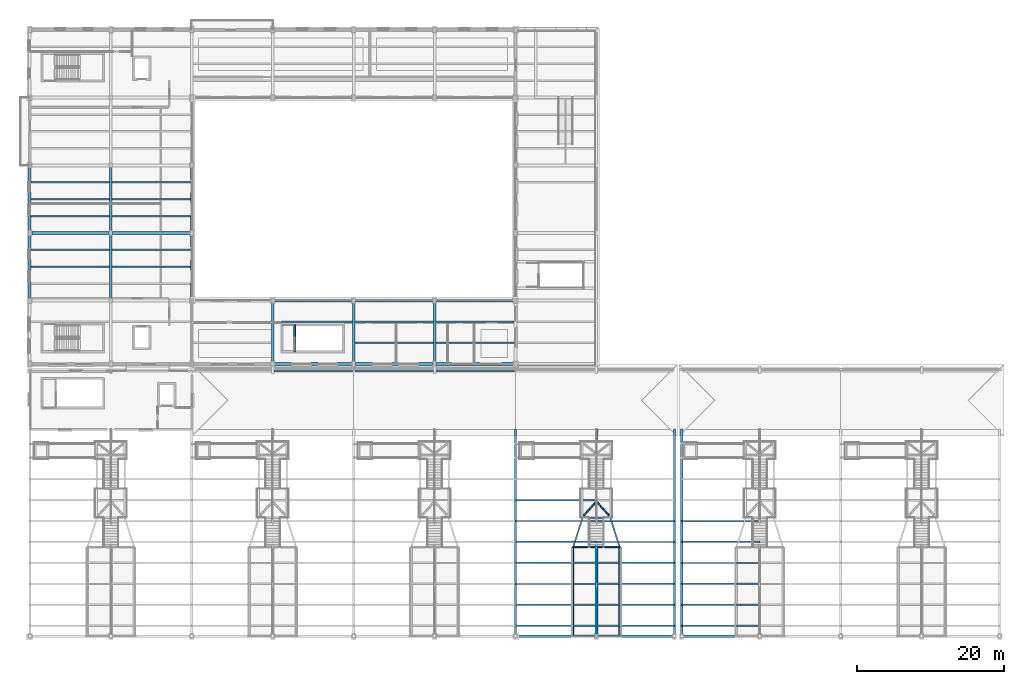
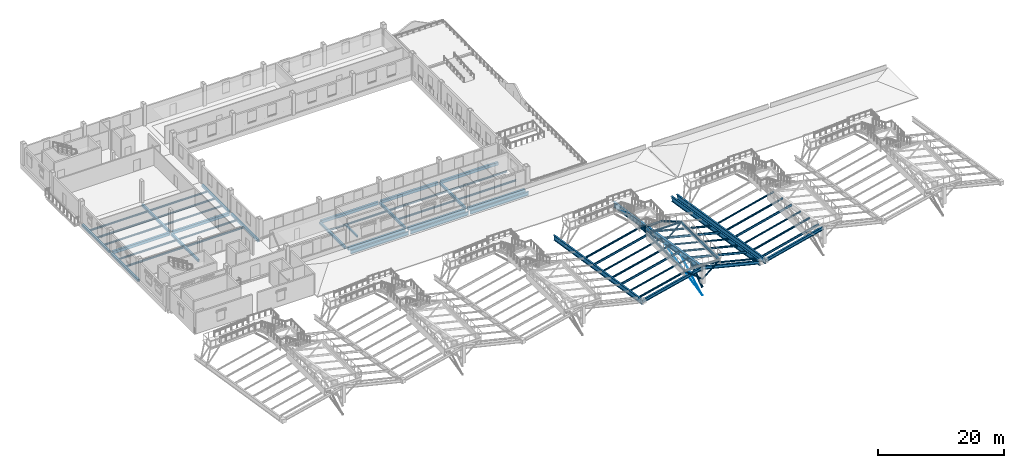
# One storey, part 12 of 43: 50 beams, 28 members.
"""IFC4 building model written with IfcOpenShell, lengths in metres."""

import ifcopenshell
import ifcopenshell.guid

model = None  # the IFC model being written
_history = None  # IfcOwnerHistory: only IFC2X3 demands one
_inside = {}  # id of a spatial element -> (the spatial element, [elements in it])
_under = {}  # id of a project, library or spatial element -> (it, [spatial elements below it])
_declared = {}  # id of a project -> (the project, [libraries it declares])
_typed = {}  # id of a type object -> (the type object, [elements of that type])
_made_of = {}  # id of a material, layer set ... -> (it, [elements and type objects made of it])


def new_model(schema):
    """Start an empty IFC model of exactly this schema.

    Asked for "IFC4X3", IfcOpenShell would pick the latest addendum, in which some entities
    have other attributes; the version numbers below select the first issue.
    IFC2X3 requires an IfcOwnerHistory on every rooted entity: one is made here for all.
    """
    global model, _history
    if schema == "IFC4X3":
        model = ifcopenshell.file(schema_version=(4, 3, 0, 0))
    else:
        model = ifcopenshell.file(schema=schema)
    _inside.clear()
    _under.clear()
    _declared.clear()
    _typed.clear()
    _made_of.clear()
    _history = None
    if model.schema == "IFC2X3":
        org = make("IfcOrganization", Name="unknown")
        user = make(
            "IfcPersonAndOrganization",
            ThePerson=make("IfcPerson", FamilyName="unknown"),
            TheOrganization=org,
        )
        app = make(
            "IfcApplication",
            ApplicationDeveloper=org,
            Version="unknown",
            ApplicationFullName="unknown",
            ApplicationIdentifier="unknown",
        )
        _history = make(
            "IfcOwnerHistory",
            OwningUser=user,
            OwningApplication=app,
            ChangeAction="ADDED",
            CreationDate=0,
        )
    return model


def make(cls, **values):
    """One entity of the class cls with the attributes given. An attribute that is None is left unset."""
    return model.create_entity(
        cls, **{name: value for name, value in values.items() if value is not None}
    )


def rooted(cls, **values):
    """An entity with a GlobalId (a new one), such as an element, a storey or a relation."""
    return make(cls, GlobalId=ifcopenshell.guid.new(), OwnerHistory=_history, **values)


def si_unit(unit_type, name, prefix=None):
    """IfcSIUnit, for example si_unit("LENGTHUNIT", "METRE", prefix="MILLI")."""
    return make("IfcSIUnit", UnitType=unit_type, Prefix=prefix, Name=name)


def assignment(units):
    """IfcUnitAssignment: the units of a project."""
    return None if units is None else make("IfcUnitAssignment", Units=units)


def point(xyz):
    """IfcCartesianPoint."""
    return None if xyz is None else make("IfcCartesianPoint", Coordinates=xyz)


def direction(xyz):
    """IfcDirection."""
    return None if xyz is None else make("IfcDirection", DirectionRatios=xyz)


def frame(location, z_axis=None, x_axis=None):
    """IfcAxis2Placement3D, a coordinate frame: its origin and axes. An axis left out is left unset."""
    return make(
        "IfcAxis2Placement3D",
        Location=point(location),
        Axis=direction(z_axis),
        RefDirection=direction(x_axis),
    )


def frame_2d(location, x_axis=None):
    """IfcAxis2Placement2D, a coordinate frame in the plane: its origin and x axis."""
    return make(
        "IfcAxis2Placement2D", Location=point(location), RefDirection=direction(x_axis)
    )


def origin():
    """The frame at (0, 0, 0) with its axes left unset."""
    return frame((0.0, 0.0, 0.0))


def origin_2d():
    """The frame at (0, 0) in the plane with its x axis left unset."""
    return frame_2d((0.0, 0.0))


def place(relative_to, where):
    """IfcLocalPlacement: puts the frame where relative to a parent placement (None: the world)."""
    return make(
        "IfcLocalPlacement", PlacementRelTo=relative_to, RelativePlacement=where
    )


def context(
    kind, dimensions, precision=None, world=None, true_north=None, identifier=None
):
    """IfcGeometricRepresentationContext, for example the 3D "Model" context."""
    return make(
        "IfcGeometricRepresentationContext",
        ContextIdentifier=identifier,
        ContextType=kind,
        CoordinateSpaceDimension=dimensions,
        Precision=precision,
        WorldCoordinateSystem=world,
        TrueNorth=true_north,
    )


def subcontext(parent, identifier, kind, view, scale=None):
    """IfcGeometricRepresentationSubContext, for example "Body" below "Model"."""
    return make(
        "IfcGeometricRepresentationSubContext",
        ContextIdentifier=identifier,
        ContextType=kind,
        ParentContext=parent,
        TargetScale=scale,
        TargetView=view,
    )


def project(units=None, contexts=None):
    """IfcProject with its units and contexts."""
    return rooted(
        "IfcProject",
        Name="project",
        RepresentationContexts=contexts,
        UnitsInContext=assignment(units),
    )


def spatial(cls, under=None, at=None, **own):
    """A site, building, storey or space (cls), placed at a placement, below another one or the project."""
    s = rooted(cls, ObjectPlacement=at, **own)
    if under is not None:
        _under.setdefault(under.id(), (under, []))[1].append(s)
    return s


def profile(cls, at=None, kind="AREA", **sizes):
    """A parametric profile (cls). Its sizes go by their IFC names, for example OverallWidth=200.0."""
    return make(cls, ProfileType=kind, Position=at, **sizes)


def rectangle(**sizes):
    """IfcRectangleProfileDef."""
    return profile("IfcRectangleProfileDef", **sizes)


def circle(**sizes):
    """IfcCircleProfileDef."""
    return profile("IfcCircleProfileDef", **sizes)


def hollow_circle(**sizes):
    """IfcCircleHollowProfileDef."""
    return profile("IfcCircleHollowProfileDef", **sizes)


def i_section(**sizes):
    """IfcIShapeProfileDef."""
    return profile("IfcIShapeProfileDef", **sizes)


def extrude(swept, where, along, depth):
    """IfcExtrudedAreaSolid: the profile swept, set in the frame where, extruded along a direction by depth."""
    return make(
        "IfcExtrudedAreaSolid",
        SweptArea=swept,
        Position=where,
        ExtrudedDirection=direction(along),
        Depth=depth,
    )


def shape(context_of_items, identifier, shape_type, items):
    """IfcShapeRepresentation: the items that make up one representation, for example the "Body"."""
    return make(
        "IfcShapeRepresentation",
        ContextOfItems=context_of_items,
        RepresentationIdentifier=identifier,
        RepresentationType=shape_type,
        Items=items,
    )


def material(Name=None, Category=None):
    """IfcMaterial."""
    return make("IfcMaterial", Name=Name, Category=Category)


def material_profile(
    of_material, cross_section, Name=None, Category=None, Priority=None
):
    """IfcMaterialProfile: a cross section and its material."""
    return make(
        "IfcMaterialProfile",
        Name=Name,
        Material=of_material,
        Profile=cross_section,
        Priority=Priority,
        Category=Category,
    )


def profile_set(profiles, Name=None, composite=None):
    """IfcMaterialProfileSet."""
    return make(
        "IfcMaterialProfileSet",
        Name=Name,
        MaterialProfiles=profiles,
        CompositeProfile=composite,
    )


def made_of(thing, what):
    """Note that an element or type object is made of a material, layer set ...; save() writes the relation."""
    if what is not None:
        _made_of.setdefault(what.id(), (what, []))[1].append(thing)
    return thing


def type_object(cls, material=None, **own):
    """A type object (cls), such as IfcWallType, which elements share."""
    return made_of(rooted(cls, **own), material)


def element(
    cls,
    number,
    at=None,
    inside=None,
    cuts=None,
    type_object=None,
    material=None,
    context=None,
    identifier="Body",
    shape_type=None,
    held_by="IfcProductDefinitionShape",
    body=None,
    shapes=None,
    **own,
):
    """One element of the class cls, such as IfcWall. Its Tag is "e" and its number.

    at: its placement. inside: the storey or other place that contains it. cuts: it is an
    opening in that element (IfcRelVoidsElement). A single representation is given by context,
    identifier, shape_type and body (its items); several are given by shapes. held_by: the class
    of the entity that holds the representations. save() writes the other relations.
    """
    e = rooted(cls, Tag="e%d" % number, ObjectPlacement=at, **own)
    if body is not None:
        shapes = [shape(context, identifier, shape_type, body)]
    if shapes is not None:
        e.Representation = make(held_by, Representations=shapes)
    if inside is not None:
        _inside.setdefault(inside.id(), (inside, []))[1].append(e)
    if cuts is not None:
        rooted(
            "IfcRelVoidsElement", RelatingBuildingElement=cuts, RelatedOpeningElement=e
        )
    if type_object is not None:
        _typed.setdefault(type_object.id(), (type_object, []))[1].append(e)
    return made_of(e, material)


def aggregate(whole, parts):
    """IfcRelAggregates: a whole, such as a stair, and the parts it consists of."""
    return rooted("IfcRelAggregates", RelatingObject=whole, RelatedObjects=parts)


def save(model, path):
    """Write the relations noted so far, then the file.

    IfcRelAggregates (storeys below a building ...), IfcRelContainedInSpatialStructure (elements
    in a storey), IfcRelDefinesByType, IfcRelAssociatesMaterial and IfcRelDeclares: one each for
    every whole, place, type object, material and project.
    """
    for whole, parts in _under.values():
        aggregate(whole, parts)
    for where, things in _inside.values():
        rooted(
            "IfcRelContainedInSpatialStructure",
            RelatedElements=things,
            RelatingStructure=where,
        )
    for kind, things in _typed.values():
        rooted("IfcRelDefinesByType", RelatedObjects=things, RelatingType=kind)
    for what, things in _made_of.values():
        rooted("IfcRelAssociatesMaterial", RelatedObjects=things, RelatingMaterial=what)
    for by, libraries in _declared.values():
        rooted("IfcRelDeclares", RelatingContext=by, RelatedDefinitions=libraries)
    model.write(path)


model = new_model("IFC4")

# Units and contexts
model_context = context("Model", 3, precision=1e-05, world=origin(), true_north=direction((0.0, 1.0)))
body_context = subcontext(model_context, "Body", "Model", "MODEL_VIEW")
ifc_project = project(units=[si_unit("LENGTHUNIT", "METRE"), si_unit("AREAUNIT", "SQUARE_METRE"), si_unit("VOLUMEUNIT", "CUBIC_METRE"), si_unit("PLANEANGLEUNIT", "RADIAN"), si_unit("MASSUNIT", "GRAM", prefix="KILO")], contexts=[model_context])

# Site, building, storey
site_placement = place(None, origin())
site = spatial("IfcSite", under=ifc_project, at=site_placement, CompositionType="ELEMENT")
building_placement = place(site_placement, origin())
building = spatial("IfcBuilding", under=site, at=building_placement, Name="Caurita Quay Ferry Terminal", CompositionType="ELEMENT")
storey_placement = place(building_placement, frame((0.0, 0.0, 14.10009765625)))
storey = spatial("IfcBuildingStorey", under=building, at=storey_placement, Name="L03", CompositionType="ELEMENT", Elevation=14.10009765625)

# Beams
ifc_material_1 = material(Name="Structural steel ASTM A992 Gr. 50", Category="steel")
ifc_material_profile_1 = material_profile(ifc_material_1, i_section(OverallWidth=0.193115234375, OverallDepth=0.46728515625, WebThickness=0.011474609375, FlangeThickness=0.01904296875, FilletRadius=0.0126953125, at=origin_2d()), Name="W18X65")
ifc_profile_set_1 = profile_set([ifc_material_profile_1], Name="Structural steel ASTM A992 Gr. 50")
beam_type_1 = type_object("IfcBeamType", Name="BM-GR-W18A", PredefinedType="BEAM", material=ifc_profile_set_1)
for number, where, z_axis, x_axis, name in (
    (1, (73.8798828125, 46.627685546875, 3.26611328125), (0.0, -1.0, 0.0), (1.0, 0.0, 0.0), "Folded Roof Bay 4 Lookout Edge Beam 09"),
    (2, (80.1201171875, 46.627685546875, 3.26611328125), (0.0, -1.0, 0.0), (1.0, 0.0, 0.0), "Folded Roof Bay 4 Lookout Edge Beam 10"),
):
    element("IfcBeam", number, at=place(storey_placement, frame(where, z_axis=z_axis, x_axis=x_axis)), inside=storey, type_object=beam_type_1, Name=name, PredefinedType="BEAM", context=body_context, shape_type="SweptSolid", body=[
        extrude(i_section(OverallWidth=0.193115234375, OverallDepth=0.46728515625, WebThickness=0.011474609375, FlangeThickness=0.01904296875, FilletRadius=0.0126953125, at=origin_2d()), origin(), (0.0, 0.0, 1.0), 11.87548828125),
    ])
ifc_material_profile_2 = material_profile(ifc_material_1, i_section(OverallWidth=0.3251953125, OverallDepth=0.612060546875, WebThickness=0.0126953125, FlangeThickness=0.01904296875, FilletRadius=0.01513671875, at=origin_2d()), Name="W24X104")
ifc_profile_set_2 = profile_set([ifc_material_profile_2], Name="Structural steel ASTM A992 Gr. 50")
beam_type_2 = type_object("IfcBeamType", Name="BM-GR-W24A", PredefinedType="BEAM", material=ifc_profile_set_2)
beam_1_placement = place(storey_placement, frame((66.0, 34.60009765625, 0.265869140625), z_axis=(0.972384559308, 0.0, 0.23338437998), x_axis=(0.0, 1.0, 0.0)))
element("IfcBeam", 3, at=beam_1_placement, inside=storey, type_object=beam_type_2, Name="Folded Roof Gable Ring Girder V1-S-66", PredefinedType="BEAM", context=body_context, shape_type="SweptSolid", body=[
    extrude(i_section(OverallWidth=0.3251953125, OverallDepth=0.612060546875, WebThickness=0.0126953125, FlangeThickness=0.01904296875, FilletRadius=0.01513671875, at=origin_2d()), origin(), (0.0, 0.0, 1.0), 11.3125),
])
beam_2_placement = place(storey_placement, frame((77.0, 34.60009765625, 2.906005859375), z_axis=(0.970355100302, 0.0, -0.241683634775), x_axis=(0.0, 1.0, 0.0)))
element("IfcBeam", 4, at=beam_2_placement, inside=storey, type_object=beam_type_2, Name="Folded Roof Gable Ring Girder V1-S-77", PredefinedType="BEAM", context=body_context, shape_type="SweptSolid", body=[
    extrude(i_section(OverallWidth=0.3251953125, OverallDepth=0.612060546875, WebThickness=0.0126953125, FlangeThickness=0.01904296875, FilletRadius=0.01513671875, at=origin_2d()), origin(), (0.0, 0.0, 1.0), 10.923828125),
])
beam_3_placement = place(storey_placement, frame((88.60009765625, 34.60009765625, 0.265869140625), z_axis=(0.970353794824, 0.0, 0.241688876183), x_axis=(0.0, 1.0, 0.0)))
element("IfcBeam", 5, at=beam_3_placement, inside=storey, type_object=beam_type_2, Name="Folded Roof Gable Ring Girder V2-S-89", PredefinedType="BEAM", context=body_context, shape_type="SweptSolid", body=[
    extrude(i_section(OverallWidth=0.3251953125, OverallDepth=0.612060546875, WebThickness=0.0126953125, FlangeThickness=0.01904296875, FilletRadius=0.01513671875, at=origin_2d()), origin(), (0.0, 0.0, 1.0), 10.923583984375),
])
ifc_material_profile_3 = material_profile(ifc_material_1, i_section(OverallWidth=0.25390625, OverallDepth=0.68310546875, WebThickness=0.012451171875, FlangeThickness=0.018798828125, at=origin_2d()), Name="W27X94")
ifc_profile_set_3 = profile_set([ifc_material_profile_3], Name="Structural steel ASTM A992 Gr. 50")
beam_type_3 = type_object("IfcBeamType", Name="BM-GR-W27B", PredefinedType="BEAM", material=ifc_profile_set_3)
for number, where, z_axis, x_axis, name in (
    (6, (33.15771484375, 70.60009765625, -0.551513671875), (1.0, 0.0, 0.0), (0.0, 1.0, 0.0), "L03 Beam BM-V1-L03-X-332-706"),
    (7, (44.15771484375, 70.60009765625, -0.551513671875), (1.0, 0.0, 0.0), (0.0, 1.0, 0.0), "L03 Beam BM-V1-L03-X-442-706"),
    (8, (55.15771484375, 70.60009765625, -0.551513671875), (1.0, 0.0, 0.0), (0.0, 1.0, 0.0), "L03 Beam BM-V1-L03-X-552-706"),
):
    element("IfcBeam", number, at=place(storey_placement, frame(where, z_axis=z_axis, x_axis=x_axis)), inside=storey, type_object=beam_type_3, Name=name, PredefinedType="BEAM", context=body_context, shape_type="SweptSolid", body=[
        extrude(i_section(OverallWidth=0.25390625, OverallDepth=0.68310546875, WebThickness=0.012451171875, FlangeThickness=0.018798828125, at=origin_2d()), origin(), (0.0, 0.0, 1.0), 10.6845703125),
    ])
ifc_material_profile_4 = material_profile(ifc_material_1, i_section(OverallWidth=0.20458984375, OverallDepth=0.307373046875, WebThickness=0.008544921875, FlangeThickness=0.0146484375, FilletRadius=0.0126953125, at=origin_2d()), Name="W12X45")
ifc_profile_set_4 = profile_set([ifc_material_profile_4], Name="Structural steel ASTM A992 Gr. 50")
beam_type_4 = type_object("IfcBeamType", Name="BM-JS-W12B", PredefinedType="JOIST", material=ifc_profile_set_4)
for number, where, z_axis, x_axis, name in (
    (9, (0.175048828125, 84.800048828125, -0.373779296875), (1.0, 0.0, 0.0), (0.0, 1.0, 0.0), "L03 Beam JS-V5-L03-003"),
    (10, (0.175048828125, 87.10009765625, -0.373779296875), (1.0, 0.0, 0.0), (0.0, 1.0, 0.0), "L03 Beam JS-V5-L03-004"),
    (11, (0.175048828125, 91.699951171875, -0.373779296875), (1.0, 0.0, 0.0), (0.0, 1.0, 0.0), "L03 Beam JS-V5-L03-005"),
    (12, (0.175048828125, 94.0, -0.373779296875), (1.0, 0.0, 0.0), (0.0, 1.0, 0.0), "L03 Beam JS-V5-L03-006"),
    (13, (0.175048828125, 96.300048828125, -0.373779296875), (1.0, 0.0, 0.0), (0.0, 1.0, 0.0), "L03 Beam JS-V5-L03-007"),
    (14, (11.175048828125, 84.800048828125, -0.373779296875), (1.0, 0.0, 0.0), (0.0, 1.0, 0.0), "L03 Beam JS-V5-L03-014"),
    (15, (11.175048828125, 87.10009765625, -0.373779296875), (1.0, 0.0, 0.0), (0.0, 1.0, 0.0), "L03 Beam JS-V5-L03-015"),
    (16, (11.175048828125, 91.699951171875, -0.373779296875), (1.0, 0.0, 0.0), (0.0, 1.0, 0.0), "L03 Beam JS-V5-L03-016"),
    (17, (11.175048828125, 94.0, -0.373779296875), (1.0, 0.0, 0.0), (0.0, 1.0, 0.0), "L03 Beam JS-V5-L03-017"),
    (18, (11.175048828125, 96.300048828125, -0.373779296875), (1.0, 0.0, 0.0), (0.0, 1.0, 0.0), "L03 Beam JS-V5-L03-018"),
    (19, (33.175048828125, 77.333251953125, -0.373779296875), (1.0, 0.0, 0.0), (0.0, 1.0, 0.0), "L03 Beam JS-V5-L03-028"),
    (20, (44.175048828125, 74.466796875, -0.373779296875), (1.0, 0.0, 0.0), (0.0, 1.0, 0.0), "L03 Beam JS-V5-L03-032"),
    (21, (44.175048828125, 77.333251953125, -0.373779296875), (1.0, 0.0, 0.0), (0.0, 1.0, 0.0), "L03 Beam JS-V5-L03-033"),
    (22, (55.175048828125, 74.466796875, -0.373779296875), (1.0, 0.0, 0.0), (0.0, 1.0, 0.0), "L03 Beam JS-V5-L03-037"),
    (23, (55.175048828125, 77.333251953125, -0.373779296875), (1.0, 0.0, 0.0), (0.0, 1.0, 0.0), "L03 Beam JS-V5-L03-038"),
):
    element("IfcBeam", number, at=place(storey_placement, frame(where, z_axis=z_axis, x_axis=x_axis)), inside=storey, type_object=beam_type_4, Name=name, PredefinedType="JOIST", context=body_context, shape_type="SweptSolid", body=[
        extrude(i_section(OverallWidth=0.20458984375, OverallDepth=0.307373046875, WebThickness=0.008544921875, FlangeThickness=0.0146484375, FilletRadius=0.0126953125, at=origin_2d()), origin(), (0.0, 0.0, 1.0), 10.64990234375),
    ])
ifc_material_2 = material(Name="Reinforced concrete C35/45", Category="concrete")
ifc_material_profile_5 = material_profile(ifc_material_2, rectangle(XDim=0.35009765625, YDim=0.449951171875, at=origin_2d()), Name="RC-BM-350X450")
ifc_profile_set_5 = profile_set([ifc_material_profile_5], Name="Reinforced concrete C35/45")
beam_type_5 = type_object("IfcBeamType", Name="BM-RC-3545", PredefinedType="SPANDREL", material=ifc_profile_set_5)
for number, where, z_axis, x_axis, name in (
    (24, (0.0, 80.455078125, -0.445068359375), (0.0, 1.0, 0.0), (-1.0, 0.0, 0.0), "L03 Beam BM-V5-L03-Y-0-805"),
    (25, (0.0, 89.655029296875, -0.445068359375), (0.0, 1.0, 0.0), (-1.0, 0.0, 0.0), "L03 Beam BM-V5-L03-Y-0-897"),
    (26, (11.0, 80.455078125, -0.445068359375), (0.0, 1.0, 0.0), (-1.0, 0.0, 0.0), "L03 Beam BM-V5-L03-Y-110-805"),
    (27, (11.0, 89.655029296875, -0.445068359375), (0.0, 1.0, 0.0), (-1.0, 0.0, 0.0), "L03 Beam BM-V5-L03-Y-110-897"),
    (28, (22.0, 80.455078125, -0.445068359375), (0.0, 1.0, 0.0), (-1.0, 0.0, 0.0), "L03 Beam BM-V5-L03-Y-220-805"),
    (29, (22.0, 89.655029296875, -0.445068359375), (0.0, 1.0, 0.0), (-1.0, 0.0, 0.0), "L03 Beam BM-V5-L03-Y-220-897"),
):
    element("IfcBeam", number, at=place(storey_placement, frame(where, z_axis=z_axis, x_axis=x_axis)), inside=storey, type_object=beam_type_5, Name=name, PredefinedType="SPANDREL", context=body_context, shape_type="SweptSolid", body=[
        extrude(rectangle(XDim=0.35009765625, YDim=0.449951171875, at=origin_2d()), origin(), (0.0, 0.0, 1.0), 8.68994140625),
    ])
for number, where, z_axis, x_axis, name in (
    (30, (33.0, 71.85498046875, -0.445068359375), (0.0, 1.0, 0.0), (-1.0, 0.0, 0.0), "L03 Beam BM-V5-L03-Y-330-719"),
    (31, (44.0, 71.85498046875, -0.445068359375), (0.0, 1.0, 0.0), (-1.0, 0.0, 0.0), "L03 Beam BM-V5-L03-Y-440-719"),
    (32, (55.0, 71.85498046875, -0.445068359375), (0.0, 1.0, 0.0), (-1.0, 0.0, 0.0), "L03 Beam BM-V5-L03-Y-550-719"),
):
    element("IfcBeam", number, at=place(storey_placement, frame(where, z_axis=z_axis, x_axis=x_axis)), inside=storey, type_object=beam_type_5, Name=name, PredefinedType="SPANDREL", context=body_context, shape_type="SweptSolid", body=[
        extrude(rectangle(XDim=0.35009765625, YDim=0.449951171875, at=origin_2d()), origin(), (0.0, 0.0, 1.0), 8.090087890625),
    ])
ifc_material_profile_6 = material_profile(ifc_material_2, rectangle(XDim=0.39990234375, YDim=0.550048828125, at=origin_2d()), Name="RC-BM-400X550")
ifc_profile_set_6 = profile_set([ifc_material_profile_6], Name="Reinforced concrete C35/45")
beam_type_6 = type_object("IfcBeamType", Name="BM-RC-4055", PredefinedType="BEAM", material=ifc_profile_set_6)
for number, where, z_axis, x_axis, name in (
    (33, (33.2548828125, 71.60009765625, -0.4951171875), (1.0, 0.0, 0.0), (0.0, 1.0, 0.0), "L03 Beam BM-V5-L03-X-333-716"),
    (34, (44.2548828125, 71.60009765625, -0.4951171875), (1.0, 0.0, 0.0), (0.0, 1.0, 0.0), "L03 Beam BM-V5-L03-X-443-716"),
    (35, (55.2548828125, 71.60009765625, -0.4951171875), (1.0, 0.0, 0.0), (0.0, 1.0, 0.0), "L03 Beam BM-V5-L03-X-553-716"),
    (36, (33.2548828125, 80.199951171875, -0.4951171875), (1.0, 0.0, 0.0), (0.0, 1.0, 0.0), "L03 Beam BM-V5-L03-X-333-802"),
    (37, (44.2548828125, 80.199951171875, -0.4951171875), (1.0, 0.0, 0.0), (0.0, 1.0, 0.0), "L03 Beam BM-V5-L03-X-443-802"),
    (38, (55.2548828125, 80.199951171875, -0.4951171875), (1.0, 0.0, 0.0), (0.0, 1.0, 0.0), "L03 Beam BM-V5-L03-X-553-802"),
    (39, (0.2548828125, 89.39990234375, -0.4951171875), (1.0, 0.0, 0.0), (0.0, 1.0, 0.0), "L03 Beam BM-V5-L03-X-3-894"),
    (40, (11.2548828125, 89.39990234375, -0.4951171875), (1.0, 0.0, 0.0), (0.0, 1.0, 0.0), "L03 Beam BM-V5-L03-X-113-894"),
):
    element("IfcBeam", number, at=place(storey_placement, frame(where, z_axis=z_axis, x_axis=x_axis)), inside=storey, type_object=beam_type_6, Name=name, PredefinedType="BEAM", context=body_context, shape_type="SweptSolid", body=[
        extrude(rectangle(XDim=0.39990234375, YDim=0.550048828125, at=origin_2d()), origin(), (0.0, 0.0, 1.0), 10.490234375),
    ])
ifc_material_profile_7 = material_profile(ifc_material_1, i_section(OverallWidth=0.310302734375, OverallDepth=0.949951171875, WebThickness=0.0244140625, FlangeThickness=0.0439453125, FilletRadius=0.024169921875, at=origin_2d()), Name="W36X256")
ifc_profile_set_7 = profile_set([ifc_material_profile_7], Name="Structural steel ASTM A992 Gr. 50")
beam_type_7 = type_object("IfcBeamType", Name="BM-RF-W36A", PredefinedType="BEAM", material=ifc_profile_set_7)
for number, where, z_axis, x_axis, name in (
    (41, (87.60009765625, 62.699951171875, -4.39599609375), (0.0, -0.98744132788, 0.157986151272), (1.0, 0.0, 0.0), "Folded Roof Valley Girder V1-09"),
    (42, (88.60009765625, 62.699951171875, -4.39599609375), (0.0, -0.98744132788, 0.157986151272), (1.0, 0.0, 0.0), "Folded Roof Valley Girder V2-01"),
):
    element("IfcBeam", number, at=place(storey_placement, frame(where, z_axis=z_axis, x_axis=x_axis)), inside=storey, type_object=beam_type_7, Name=name, PredefinedType="BEAM", context=body_context, shape_type="SweptSolid", body=[
        extrude(i_section(OverallWidth=0.310302734375, OverallDepth=0.949951171875, WebThickness=0.0244140625, FlangeThickness=0.0439453125, FilletRadius=0.024169921875, at=origin_2d()), origin(), (0.0, 0.0, 1.0), 28.457275390625),
    ])
ifc_material_profile_8 = material_profile(ifc_material_1, i_section(OverallWidth=0.309326171875, OverallDepth=0.93212890625, WebThickness=0.02099609375, FlangeThickness=0.034423828125, FilletRadius=0.024169921875, at=origin_2d()), Name="W36X210")
ifc_profile_set_8 = profile_set([ifc_material_profile_8], Name="Structural steel ASTM A992 Gr. 50")
beam_type_8 = type_object("IfcBeamType", Name="BM-RF-W36B", PredefinedType="BEAM", material=ifc_profile_set_8)
beam_4_placement = place(storey_placement, frame((66.0, 62.699951171875, -4.38720703125), z_axis=(0.0, -0.987439989472, 0.157994516331), x_axis=(1.0, 0.0, 0.0)))
element("IfcBeam", 43, at=beam_4_placement, inside=storey, type_object=beam_type_8, Name="Folded Roof Valley Girder V1-07", PredefinedType="BEAM", context=body_context, shape_type="SweptSolid", body=[
    extrude(i_section(OverallWidth=0.309326171875, OverallDepth=0.93212890625, WebThickness=0.02099609375, FlangeThickness=0.034423828125, FilletRadius=0.024169921875, at=origin_2d()), origin(), (0.0, 0.0, 1.0), 28.457275390625),
])
ifc_material_profile_9 = material_profile(ifc_material_1, i_section(OverallWidth=0.4013671875, OverallDepth=1.00830078125, WebThickness=0.02099609375, FlangeThickness=0.0400390625, FilletRadius=0.025390625, at=origin_2d()), Name="W40X277")
ifc_profile_set_9 = profile_set([ifc_material_profile_9], Name="Structural steel ASTM A992 Gr. 50")
beam_type_9 = type_object("IfcBeamType", Name="BM-RF-W40B", PredefinedType="BEAM", material=ifc_profile_set_9)
beam_5_placement = place(storey_placement, frame((77.0, 62.699951171875, -1.78564453125), z_axis=(0.0, -0.98744132788, 0.157986151272), x_axis=(1.0, 0.0, 0.0)))
element("IfcBeam", 44, at=beam_5_placement, inside=storey, type_object=beam_type_9, Name="Folded Roof Ridge Girder V1-08", PredefinedType="BEAM", context=body_context, shape_type="SweptSolid", body=[
    extrude(i_section(OverallWidth=0.4013671875, OverallDepth=1.00830078125, WebThickness=0.02099609375, FlangeThickness=0.0400390625, FilletRadius=0.025390625, at=origin_2d()), origin(), (0.0, 0.0, 1.0), 28.457275390625),
])
ifc_material_profile_10 = material_profile(ifc_material_1, i_section(OverallWidth=0.20458984375, OverallDepth=0.307373046875, WebThickness=0.008544921875, FlangeThickness=0.0146484375, FilletRadius=0.0126953125, at=origin_2d()), Name="W12X45")
ifc_profile_set_10 = profile_set([ifc_material_profile_10], Name="Structural steel ASTM A992 Gr. 50")
beam_type_10 = type_object("IfcBeamType", Name="BM-TRM-W12", PredefinedType="BEAM", material=ifc_profile_set_10)
beam_6_placement = place(storey_placement, frame((74.949951171875, 50.68994140625, 1.546142578125), z_axis=(1.0, 0.0, 0.0), x_axis=(0.0, 1.0, 0.0)))
element("IfcBeam", 45, at=beam_6_placement, inside=storey, type_object=beam_type_10, Name="Folded Roof Bay 4 Stair Trimmer Beam 4", PredefinedType="BEAM", context=body_context, shape_type="SweptSolid", body=[
    extrude(i_section(OverallWidth=0.20458984375, OverallDepth=0.307373046875, WebThickness=0.008544921875, FlangeThickness=0.0146484375, FilletRadius=0.0126953125, at=origin_2d()), origin(), (0.0, 0.0, 1.0), 4.10009765625),
])
for number, where, z_axis, x_axis, name in (
    (46, (73.75, 46.72998046875, 3.34619140625), (1.0, 0.0, 0.0), (0.0, 1.0, 0.0), "Folded Roof Bay 4 Stair Trimmer Beam 5"),
    (47, (73.75, 34.64990234375, 3.34619140625), (1.0, 0.0, 0.0), (0.0, 1.0, 0.0), "Folded Roof Bay 4 Stair Trimmer Beam 6"),
):
    element("IfcBeam", number, at=place(storey_placement, frame(where, z_axis=z_axis, x_axis=x_axis)), inside=storey, type_object=beam_type_10, Name=name, PredefinedType="BEAM", context=body_context, shape_type="SweptSolid", body=[
        extrude(i_section(OverallWidth=0.20458984375, OverallDepth=0.307373046875, WebThickness=0.008544921875, FlangeThickness=0.0146484375, FilletRadius=0.0126953125, at=origin_2d()), origin(), (0.0, 0.0, 1.0), 6.5),
    ])
for number, where, z_axis, x_axis, name in (
    (48, (75.080078125, 50.587890625, 1.546142578125), (-0.276912761175, -0.866507120658, 0.415312812885), (0.952541987839, -0.304407229553, 0.0), "Folded Roof Bay 4 Lookout Edge Beam 07"),
    (49, (78.919921875, 50.587890625, 1.546142578125), (0.276912761175, -0.866507120658, 0.415312812885), (0.952541987839, 0.304407229553, 0.0), "Folded Roof Bay 4 Lookout Edge Beam 08"),
):
    element("IfcBeam", number, at=place(storey_placement, frame(where, z_axis=z_axis, x_axis=x_axis)), inside=storey, type_object=beam_type_10, Name=name, PredefinedType="BEAM", context=body_context, shape_type="SweptSolid", body=[
        extrude(i_section(OverallWidth=0.20458984375, OverallDepth=0.307373046875, WebThickness=0.008544921875, FlangeThickness=0.0146484375, FilletRadius=0.0126953125, at=origin_2d()), origin(), (0.0, 0.0, 1.0), 4.334228515625),
    ])
ifc_material_profile_11 = material_profile(ifc_material_2, rectangle(XDim=0.25, YDim=0.300048828125, at=origin_2d()), Name="RC-LN-250X300")
ifc_profile_set_11 = profile_set([ifc_material_profile_11], Name="Reinforced concrete C35/45")
beam_type_11 = type_object("IfcBeamType", Name="LN-RC-2530", PredefinedType="LINTEL", material=ifc_profile_set_11)
beam_7_placement = place(storey_placement, frame((36.0, 73.25, -0.150146484375), z_axis=(0.0, 1.0, 0.0), x_axis=(-1.0, 0.0, 0.0)))
element("IfcBeam", 50, at=beam_7_placement, inside=storey, type_object=beam_type_11, Name="L03 Stair ST-03 Landing Trimmer Beam", PredefinedType="LINTEL", context=body_context, shape_type="SweptSolid", body=[
    extrude(rectangle(XDim=0.25, YDim=0.300048828125, at=origin_2d()), origin(), (0.0, 0.0, 1.0), 3.659912109375),
])

# Members
ifc_material_3 = material(Name="Structural stay cable steel ASTM A586", Category="steel")
ifc_material_profile_12 = material_profile(ifc_material_3, circle(Radius=0.031982421875, at=origin_2d()), Name="CABLE-D64")
ifc_profile_set_12 = profile_set([ifc_material_profile_12], Name="Structural stay cable steel ASTM A586")
member_type_1 = type_object("IfcMemberType", Name="MEM-CBL-64", PredefinedType="USERDEFINED", material=ifc_profile_set_12)
member_1_placement = place(storey_placement, frame((77.0, 34.60009765625, -2.4501953125), z_axis=(0.0, 0.880939084742, 0.473229678882), x_axis=(-1.0, 0.0, 0.0)))
element("IfcMember", 51, at=member_1_placement, inside=storey, type_object=member_type_1, Name="Folded Roof Stay Cable V1-08-S1", ObjectType="STAY CABLE", PredefinedType="USERDEFINED", context=body_context, shape_type="SweptSolid", body=[
    extrude(circle(Radius=0.031982421875, at=origin_2d()), origin(), (0.0, 0.0, 1.0), 7.83251953125),
])
ifc_material_profile_13 = material_profile(ifc_material_3, circle(Radius=0.044921875, at=origin_2d()), Name="CABLE-D90")
ifc_profile_set_13 = profile_set([ifc_material_profile_13], Name="Structural stay cable steel ASTM A586")
member_type_2 = type_object("IfcMemberType", Name="MEM-CBL-90", PredefinedType="USERDEFINED", material=ifc_profile_set_13)
member_2_placement = place(storey_placement, frame((77.0, 34.60009765625, -2.4501953125), z_axis=(0.0, 0.973633419995, 0.228118310246), x_axis=(-1.0, 0.0, 0.0)))
element("IfcMember", 52, at=member_2_placement, inside=storey, type_object=member_type_2, Name="Folded Roof Stay Cable V1-08-S2", ObjectType="STAY CABLE", PredefinedType="USERDEFINED", context=body_context, shape_type="SweptSolid", body=[
    extrude(circle(Radius=0.044921875, at=origin_2d()), origin(), (0.0, 0.0, 1.0), 12.5302734375),
])
ifc_material_profile_14 = material_profile(ifc_material_1, i_section(OverallWidth=0.2021484375, OverallDepth=0.246337890625, WebThickness=0.00732421875, FlangeThickness=0.010986328125, FilletRadius=0.01025390625, at=origin_2d()), Name="W10X33")
ifc_profile_set_14 = profile_set([ifc_material_profile_14], Name="Structural steel ASTM A992 Gr. 50")
member_type_3 = type_object("IfcMemberType", Name="MEM-PUR-10", PredefinedType="PURLIN", material=ifc_profile_set_14)
member_3_placement = place(storey_placement, frame((66.0, 38.85009765625, -0.384033203125), z_axis=(0.972389456854, 0.0, 0.233363973654), x_axis=(0.0, 1.0, 0.0)))
element("IfcMember", 53, at=member_3_placement, inside=storey, type_object=member_type_3, Name="Folded Roof Purlin PUR-062", PredefinedType="PURLIN", context=body_context, shape_type="SweptSolid", body=[
    extrude(i_section(OverallWidth=0.2021484375, OverallDepth=0.246337890625, WebThickness=0.00732421875, FlangeThickness=0.010986328125, FilletRadius=0.01025390625, at=origin_2d()), origin(), (0.0, 0.0, 1.0), 11.312255859375),
])
member_4_placement = place(storey_placement, frame((66.0, 47.39990234375, -1.752197265625), z_axis=(0.972384559308, 0.0, 0.23338437998), x_axis=(0.0, 1.0, 0.0)))
element("IfcMember", 54, at=member_4_placement, inside=storey, type_object=member_type_3, Name="Folded Roof Purlin PUR-065", PredefinedType="PURLIN", context=body_context, shape_type="SweptSolid", body=[
    extrude(i_section(OverallWidth=0.2021484375, OverallDepth=0.246337890625, WebThickness=0.00732421875, FlangeThickness=0.010986328125, FilletRadius=0.01025390625, at=origin_2d()), origin(), (0.0, 0.0, 1.0), 11.3125),
])
for number, where, z_axis, x_axis, name in (
    (55, (77.0, 36.0, 2.7119140625), (0.9703603414, 0.0, -0.241662590897), (0.0, 1.0, 0.0), "Folded Roof Purlin PUR-071"),
    (56, (77.0, 44.550048828125, 1.343994140625), (0.970355100302, 0.0, -0.241683634775), (0.0, 1.0, 0.0), "Folded Roof Purlin PUR-074"),
):
    element("IfcMember", number, at=place(storey_placement, frame(where, z_axis=z_axis, x_axis=x_axis)), inside=storey, type_object=member_type_3, Name=name, PredefinedType="PURLIN", context=body_context, shape_type="SweptSolid", body=[
        extrude(i_section(OverallWidth=0.2021484375, OverallDepth=0.246337890625, WebThickness=0.00732421875, FlangeThickness=0.010986328125, FilletRadius=0.01025390625, at=origin_2d()), origin(), (0.0, 0.0, 1.0), 10.923828125),
    ])
for number, where, z_axis, x_axis, name in (
    (57, (88.60009765625, 41.699951171875, -0.840087890625), (0.970359036142, 0.0, 0.241667831905), (0.0, 1.0, 0.0), "Folded Roof Purlin PUR-083"),
    (58, (88.60009765625, 50.25, -2.2080078125), (0.970359036142, 0.0, 0.241667831905), (0.0, 1.0, 0.0), "Folded Roof Purlin PUR-086"),
):
    element("IfcMember", number, at=place(storey_placement, frame(where, z_axis=z_axis, x_axis=x_axis)), inside=storey, type_object=member_type_3, Name=name, PredefinedType="PURLIN", context=body_context, shape_type="SweptSolid", body=[
        extrude(i_section(OverallWidth=0.2021484375, OverallDepth=0.246337890625, WebThickness=0.00732421875, FlangeThickness=0.010986328125, FilletRadius=0.01025390625, at=origin_2d()), origin(), (0.0, 0.0, 1.0), 10.923583984375),
    ])
ifc_material_profile_15 = material_profile(ifc_material_1, i_section(OverallWidth=0.20458984375, OverallDepth=0.307373046875, WebThickness=0.008544921875, FlangeThickness=0.0146484375, FilletRadius=0.0126953125, at=origin_2d()), Name="W12X45")
ifc_profile_set_15 = profile_set([ifc_material_profile_15], Name="Structural steel ASTM A992 Gr. 50")
member_type_4 = type_object("IfcMemberType", Name="MEM-PUR-12", PredefinedType="PURLIN", material=ifc_profile_set_15)
member_5_placement = place(storey_placement, frame((66.0, 36.0, 0.072021484375), z_axis=(0.972389456854, 0.0, 0.233363973654), x_axis=(0.0, 1.0, 0.0)))
element("IfcMember", 59, at=member_5_placement, inside=storey, type_object=member_type_4, Name="Folded Roof Purlin PUR-061", PredefinedType="PURLIN", context=body_context, shape_type="SweptSolid", body=[
    extrude(i_section(OverallWidth=0.20458984375, OverallDepth=0.307373046875, WebThickness=0.008544921875, FlangeThickness=0.0146484375, FilletRadius=0.0126953125, at=origin_2d()), origin(), (0.0, 0.0, 1.0), 11.312255859375),
])
member_6_placement = place(storey_placement, frame((66.0, 44.550048828125, -1.296142578125), z_axis=(0.972384559308, 0.0, 0.23338437998), x_axis=(0.0, 1.0, 0.0)))
element("IfcMember", 60, at=member_6_placement, inside=storey, type_object=member_type_4, Name="Folded Roof Purlin PUR-064", PredefinedType="PURLIN", context=body_context, shape_type="SweptSolid", body=[
    extrude(i_section(OverallWidth=0.20458984375, OverallDepth=0.307373046875, WebThickness=0.008544921875, FlangeThickness=0.0146484375, FilletRadius=0.0126953125, at=origin_2d()), origin(), (0.0, 0.0, 1.0), 11.3125),
])
member_7_placement = place(storey_placement, frame((66.0, 53.10009765625, -2.6640625), z_axis=(0.972389456854, 0.0, 0.233363973654), x_axis=(0.0, 1.0, 0.0)))
element("IfcMember", 61, at=member_7_placement, inside=storey, type_object=member_type_4, Name="Folded Roof Purlin PUR-067", PredefinedType="PURLIN", context=body_context, shape_type="SweptSolid", body=[
    extrude(i_section(OverallWidth=0.20458984375, OverallDepth=0.307373046875, WebThickness=0.008544921875, FlangeThickness=0.0146484375, FilletRadius=0.0126953125, at=origin_2d()), origin(), (0.0, 0.0, 1.0), 11.312255859375),
])
for number, where, z_axis, x_axis, name in (
    (62, (77.0, 41.699951171875, 1.7998046875), (0.9703603414, 0.0, -0.241662590897), (0.0, 1.0, 0.0), "Folded Roof Purlin PUR-073"),
    (63, (77.0, 50.25, 0.431884765625), (0.9703603414, 0.0, -0.241662590897), (0.0, 1.0, 0.0), "Folded Roof Purlin PUR-076"),
):
    element("IfcMember", number, at=place(storey_placement, frame(where, z_axis=z_axis, x_axis=x_axis)), inside=storey, type_object=member_type_4, Name=name, PredefinedType="PURLIN", context=body_context, shape_type="SweptSolid", body=[
        extrude(i_section(OverallWidth=0.20458984375, OverallDepth=0.307373046875, WebThickness=0.008544921875, FlangeThickness=0.0146484375, FilletRadius=0.0126953125, at=origin_2d()), origin(), (0.0, 0.0, 1.0), 10.923828125),
    ])
for number, where, z_axis, x_axis, name in (
    (64, (88.60009765625, 38.85009765625, -0.384033203125), (0.970359036142, 0.0, 0.241667831905), (0.0, 1.0, 0.0), "Folded Roof Purlin PUR-082"),
    (65, (88.60009765625, 47.39990234375, -1.752197265625), (0.970353794824, 0.0, 0.241688876183), (0.0, 1.0, 0.0), "Folded Roof Purlin PUR-085"),
):
    element("IfcMember", number, at=place(storey_placement, frame(where, z_axis=z_axis, x_axis=x_axis)), inside=storey, type_object=member_type_4, Name=name, PredefinedType="PURLIN", context=body_context, shape_type="SweptSolid", body=[
        extrude(i_section(OverallWidth=0.20458984375, OverallDepth=0.307373046875, WebThickness=0.008544921875, FlangeThickness=0.0146484375, FilletRadius=0.0126953125, at=origin_2d()), origin(), (0.0, 0.0, 1.0), 10.923583984375),
    ])
ifc_material_profile_16 = material_profile(ifc_material_1, i_section(OverallWidth=0.177734375, OverallDepth=0.40380859375, WebThickness=0.007568359375, FlangeThickness=0.010986328125, FilletRadius=0.011474609375, at=origin_2d()), Name="W16X36")
ifc_profile_set_16 = profile_set([ifc_material_profile_16], Name="Structural steel ASTM A992 Gr. 50")
member_type_5 = type_object("IfcMemberType", Name="MEM-PUR-16", PredefinedType="PURLIN", material=ifc_profile_set_16)
for number, where, z_axis, x_axis, name in (
    (66, (66.0, 41.699951171875, -0.840087890625), (0.972389456854, 0.0, 0.233363973654), (0.0, 1.0, 0.0), "Folded Roof Purlin PUR-063"),
    (67, (66.0, 50.25, -2.2080078125), (0.972389456854, 0.0, 0.233363973654), (0.0, 1.0, 0.0), "Folded Roof Purlin PUR-066"),
):
    element("IfcMember", number, at=place(storey_placement, frame(where, z_axis=z_axis, x_axis=x_axis)), inside=storey, type_object=member_type_5, Name=name, PredefinedType="PURLIN", context=body_context, shape_type="SweptSolid", body=[
        extrude(i_section(OverallWidth=0.177734375, OverallDepth=0.40380859375, WebThickness=0.007568359375, FlangeThickness=0.010986328125, FilletRadius=0.011474609375, at=origin_2d()), origin(), (0.0, 0.0, 1.0), 11.312255859375),
    ])
for number, where, z_axis, x_axis, name in (
    (68, (77.0, 38.85009765625, 2.255859375), (0.9703603414, 0.0, -0.241662590897), (0.0, 1.0, 0.0), "Folded Roof Purlin PUR-072"),
    (69, (77.0, 47.39990234375, 0.887939453125), (0.970355100302, 0.0, -0.241683634775), (0.0, 1.0, 0.0), "Folded Roof Purlin PUR-075"),
):
    element("IfcMember", number, at=place(storey_placement, frame(where, z_axis=z_axis, x_axis=x_axis)), inside=storey, type_object=member_type_5, Name=name, PredefinedType="PURLIN", context=body_context, shape_type="SweptSolid", body=[
        extrude(i_section(OverallWidth=0.177734375, OverallDepth=0.40380859375, WebThickness=0.007568359375, FlangeThickness=0.010986328125, FilletRadius=0.011474609375, at=origin_2d()), origin(), (0.0, 0.0, 1.0), 10.923828125),
    ])
for number, where, z_axis, x_axis, name in (
    (70, (88.60009765625, 36.0, 0.072021484375), (0.970359036142, 0.0, 0.241667831905), (0.0, 1.0, 0.0), "Folded Roof Purlin PUR-081"),
    (71, (88.60009765625, 44.550048828125, -1.296142578125), (0.970353794824, 0.0, 0.241688876183), (0.0, 1.0, 0.0), "Folded Roof Purlin PUR-084"),
):
    element("IfcMember", number, at=place(storey_placement, frame(where, z_axis=z_axis, x_axis=x_axis)), inside=storey, type_object=member_type_5, Name=name, PredefinedType="PURLIN", context=body_context, shape_type="SweptSolid", body=[
        extrude(i_section(OverallWidth=0.177734375, OverallDepth=0.40380859375, WebThickness=0.007568359375, FlangeThickness=0.010986328125, FilletRadius=0.011474609375, at=origin_2d()), origin(), (0.0, 0.0, 1.0), 10.923583984375),
    ])
ifc_material_4 = material(Name="Hollow structural steel ASTM A500 Gr. C", Category="steel")
ifc_material_profile_17 = material_profile(ifc_material_4, hollow_circle(Radius=0.136474609375, WallThickness=0.008544921875, at=origin_2d()), Name="HSS10.750X0.365")
ifc_profile_set_17 = profile_set([ifc_material_profile_17], Name="Hollow structural steel ASTM A500 Gr. C")
member_type_6 = type_object("IfcMemberType", Name="MEM-STR-10", PredefinedType="STRUT", material=ifc_profile_set_17)
for number, where, z_axis, x_axis, name in (
    (72, (77.0, 52.889892578125, -0.570556640625), (-0.549907207935, -0.601872203414, 0.579095772234), (0.738258416995, -0.674517983256, 0.0), "Folded Roof Bay 4 Lookout Bent Strut 4W"),
    (73, (77.0, 52.889892578125, -0.570556640625), (0.549907207935, -0.601872203414, 0.579095772234), (0.738258416995, 0.674517983256, 0.0), "Folded Roof Bay 4 Lookout Bent Strut 4E"),
):
    element("IfcMember", number, at=place(storey_placement, frame(where, z_axis=z_axis, x_axis=x_axis)), inside=storey, type_object=member_type_6, Name=name, PredefinedType="STRUT", context=body_context, shape_type="SweptSolid", body=[
        extrude(hollow_circle(Radius=0.136474609375, WallThickness=0.008544921875, at=origin_2d()), origin(), (0.0, 0.0, 1.0), 3.6552734375),
    ])
for number, where, z_axis, x_axis, name in (
    (74, (77.0, 46.72998046875, 0.4150390625), (-0.738449014964, 0.0, 0.674309315003), (0.0, -1.0, 0.0), "Folded Roof Bay 4 Lookout Bent Strut 5W"),
    (75, (77.0, 46.72998046875, 0.4150390625), (0.738449014964, 0.0, 0.674309315003), (0.0, 1.0, 0.0), "Folded Roof Bay 4 Lookout Bent Strut 5E"),
):
    element("IfcMember", number, at=place(storey_placement, frame(where, z_axis=z_axis, x_axis=x_axis)), inside=storey, type_object=member_type_6, Name=name, PredefinedType="STRUT", context=body_context, shape_type="SweptSolid", body=[
        extrude(hollow_circle(Radius=0.136474609375, WallThickness=0.008544921875, at=origin_2d()), origin(), (0.0, 0.0, 1.0), 4.346923828125),
    ])
for number, where, z_axis, x_axis, name in (
    (76, (77.0, 34.60009765625, 0.699951171875), (-0.771551284147, 0.011971133402, 0.636054485006), (-0.01551380053, -0.999879653755, 0.0), "Folded Roof Bay 4 Lookout Bent Strut 6W"),
    (77, (77.0, 34.60009765625, 0.699951171875), (0.771551284147, 0.011971133402, 0.636054485006), (-0.01551380053, 0.999879653755, 0.0), "Folded Roof Bay 4 Lookout Bent Strut 6E"),
):
    element("IfcMember", number, at=place(storey_placement, frame(where, z_axis=z_axis, x_axis=x_axis)), inside=storey, type_object=member_type_6, Name=name, PredefinedType="STRUT", context=body_context, shape_type="SweptSolid", body=[
        extrude(hollow_circle(Radius=0.136474609375, WallThickness=0.008544921875, at=origin_2d()), origin(), (0.0, 0.0, 1.0), 4.160400390625),
    ])
ifc_material_profile_18 = material_profile(ifc_material_4, hollow_circle(Radius=0.203125, WallThickness=0.01171875, at=origin_2d()), Name="HSS16.000X0.500")
ifc_profile_set_18 = profile_set([ifc_material_profile_18], Name="Hollow structural steel ASTM A500 Gr. C")
member_type_7 = type_object("IfcMemberType", Name="MEM-STR-16", PredefinedType="STRUT", material=ifc_profile_set_18)
member_8_placement = place(storey_placement, frame((77.0, 34.60009765625, -0.900146484375), z_axis=(0.0, 0.809855173056, 0.58662986514), x_axis=(-1.0, 0.0, 0.0)))
element("IfcMember", 78, at=member_8_placement, inside=storey, type_object=member_type_7, Name="Mast Tree-Strut V1-08-S1", PredefinedType="STRUT", context=body_context, shape_type="SweptSolid", body=[
    extrude(hollow_circle(Radius=0.203125, WallThickness=0.01171875, at=origin_2d()), origin(), (0.0, 0.0, 1.0), 4.69189453125),
])

save(model, "model.ifc")
